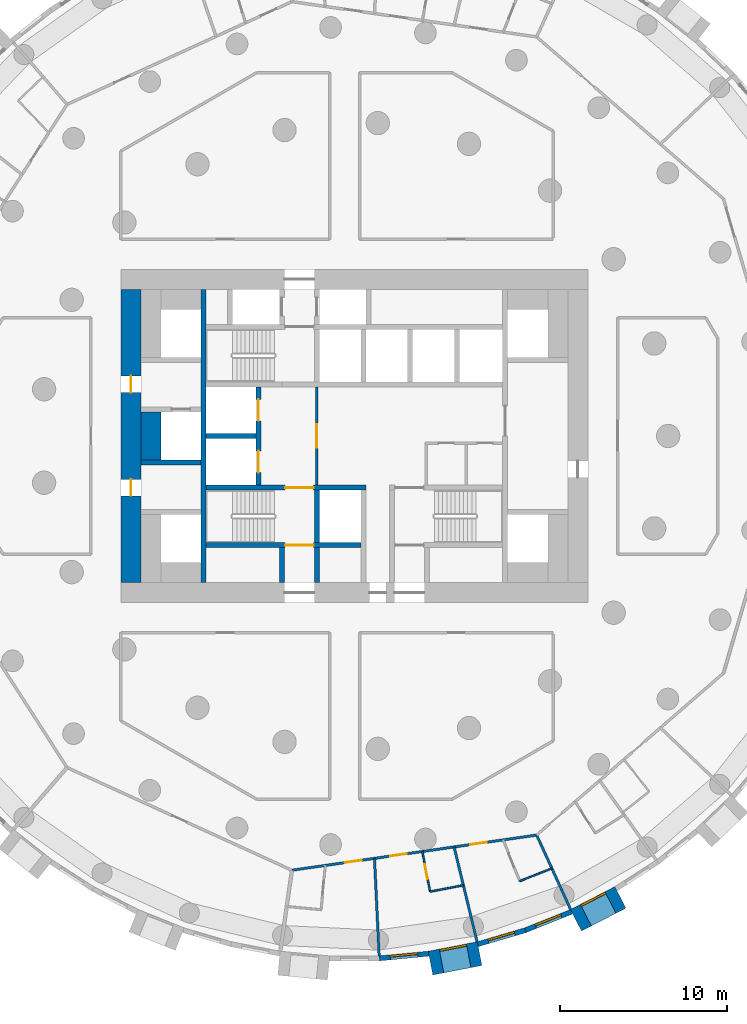
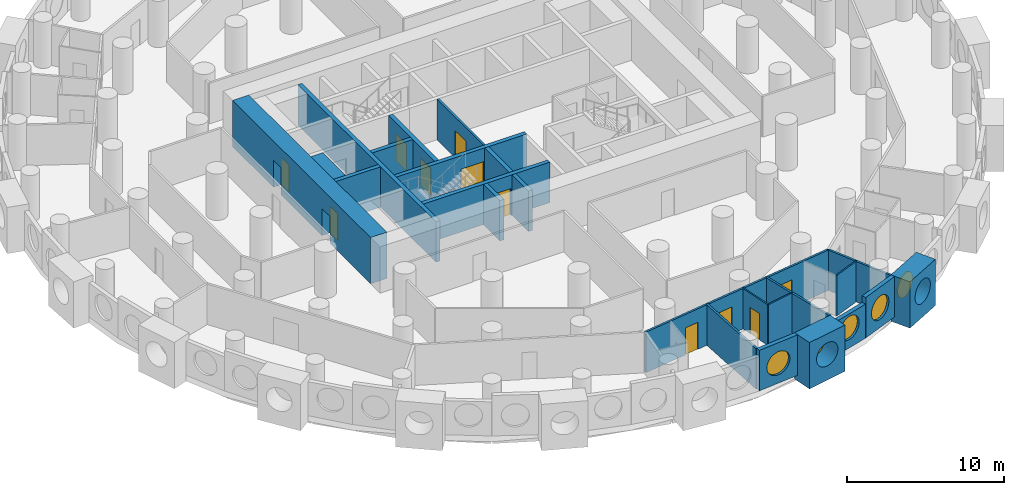
# One storey, part 4 of 11: 24 walls, 11 doors, 5 windows, 16 openings.
"""IFC4 building model written with IfcOpenShell, lengths in metres."""

import ifcopenshell
import ifcopenshell.guid

model = None  # the IFC model being written
_history = None  # IfcOwnerHistory: only IFC2X3 demands one
_inside = {}  # id of a spatial element -> (the spatial element, [elements in it])
_under = {}  # id of a project, library or spatial element -> (it, [spatial elements below it])
_declared = {}  # id of a project -> (the project, [libraries it declares])
_typed = {}  # id of a type object -> (the type object, [elements of that type])
_made_of = {}  # id of a material, layer set ... -> (it, [elements and type objects made of it])


def new_model(schema):
    """Start an empty IFC model of exactly this schema.

    Asked for "IFC4X3", IfcOpenShell would pick the latest addendum, in which some entities
    have other attributes; the version numbers below select the first issue.
    IFC2X3 requires an IfcOwnerHistory on every rooted entity: one is made here for all.
    """
    global model, _history
    if schema == "IFC4X3":
        model = ifcopenshell.file(schema_version=(4, 3, 0, 0))
    else:
        model = ifcopenshell.file(schema=schema)
    _inside.clear()
    _under.clear()
    _declared.clear()
    _typed.clear()
    _made_of.clear()
    _history = None
    if model.schema == "IFC2X3":
        org = make("IfcOrganization", Name="unknown")
        user = make(
            "IfcPersonAndOrganization",
            ThePerson=make("IfcPerson", FamilyName="unknown"),
            TheOrganization=org,
        )
        app = make(
            "IfcApplication",
            ApplicationDeveloper=org,
            Version="unknown",
            ApplicationFullName="unknown",
            ApplicationIdentifier="unknown",
        )
        _history = make(
            "IfcOwnerHistory",
            OwningUser=user,
            OwningApplication=app,
            ChangeAction="ADDED",
            CreationDate=0,
        )
    return model


def make(cls, **values):
    """One entity of the class cls with the attributes given. An attribute that is None is left unset."""
    return model.create_entity(
        cls, **{name: value for name, value in values.items() if value is not None}
    )


def rooted(cls, **values):
    """An entity with a GlobalId (a new one), such as an element, a storey or a relation."""
    return make(cls, GlobalId=ifcopenshell.guid.new(), OwnerHistory=_history, **values)


def si_unit(unit_type, name, prefix=None):
    """IfcSIUnit, for example si_unit("LENGTHUNIT", "METRE", prefix="MILLI")."""
    return make("IfcSIUnit", UnitType=unit_type, Prefix=prefix, Name=name)


def assignment(units):
    """IfcUnitAssignment: the units of a project."""
    return None if units is None else make("IfcUnitAssignment", Units=units)


def point(xyz):
    """IfcCartesianPoint."""
    return None if xyz is None else make("IfcCartesianPoint", Coordinates=xyz)


def direction(xyz):
    """IfcDirection."""
    return None if xyz is None else make("IfcDirection", DirectionRatios=xyz)


def frame(location, z_axis=None, x_axis=None):
    """IfcAxis2Placement3D, a coordinate frame: its origin and axes. An axis left out is left unset."""
    return make(
        "IfcAxis2Placement3D",
        Location=point(location),
        Axis=direction(z_axis),
        RefDirection=direction(x_axis),
    )


def frame_2d(location, x_axis=None):
    """IfcAxis2Placement2D, a coordinate frame in the plane: its origin and x axis."""
    return make(
        "IfcAxis2Placement2D", Location=point(location), RefDirection=direction(x_axis)
    )


def origin():
    """The frame at (0, 0, 0) with its axes left unset."""
    return frame((0.0, 0.0, 0.0))


def origin_2d():
    """The frame at (0, 0) in the plane with its x axis left unset."""
    return frame_2d((0.0, 0.0))


def place(relative_to, where):
    """IfcLocalPlacement: puts the frame where relative to a parent placement (None: the world)."""
    return make(
        "IfcLocalPlacement", PlacementRelTo=relative_to, RelativePlacement=where
    )


def context(
    kind, dimensions, precision=None, world=None, true_north=None, identifier=None
):
    """IfcGeometricRepresentationContext, for example the 3D "Model" context."""
    return make(
        "IfcGeometricRepresentationContext",
        ContextIdentifier=identifier,
        ContextType=kind,
        CoordinateSpaceDimension=dimensions,
        Precision=precision,
        WorldCoordinateSystem=world,
        TrueNorth=true_north,
    )


def subcontext(parent, identifier, kind, view, scale=None):
    """IfcGeometricRepresentationSubContext, for example "Body" below "Model"."""
    return make(
        "IfcGeometricRepresentationSubContext",
        ContextIdentifier=identifier,
        ContextType=kind,
        ParentContext=parent,
        TargetScale=scale,
        TargetView=view,
    )


def project(units=None, contexts=None):
    """IfcProject with its units and contexts."""
    return rooted(
        "IfcProject",
        Name="project",
        RepresentationContexts=contexts,
        UnitsInContext=assignment(units),
    )


def spatial(cls, under=None, at=None, **own):
    """A site, building, storey or space (cls), placed at a placement, below another one or the project."""
    s = rooted(cls, ObjectPlacement=at, **own)
    if under is not None:
        _under.setdefault(under.id(), (under, []))[1].append(s)
    return s


def profile(cls, at=None, kind="AREA", **sizes):
    """A parametric profile (cls). Its sizes go by their IFC names, for example OverallWidth=200.0."""
    return make(cls, ProfileType=kind, Position=at, **sizes)


def rectangle(**sizes):
    """IfcRectangleProfileDef."""
    return profile("IfcRectangleProfileDef", **sizes)


def circle(**sizes):
    """IfcCircleProfileDef."""
    return profile("IfcCircleProfileDef", **sizes)


def extrude(swept, where, along, depth):
    """IfcExtrudedAreaSolid: the profile swept, set in the frame where, extruded along a direction by depth."""
    return make(
        "IfcExtrudedAreaSolid",
        SweptArea=swept,
        Position=where,
        ExtrudedDirection=direction(along),
        Depth=depth,
    )


def shape(context_of_items, identifier, shape_type, items):
    """IfcShapeRepresentation: the items that make up one representation, for example the "Body"."""
    return make(
        "IfcShapeRepresentation",
        ContextOfItems=context_of_items,
        RepresentationIdentifier=identifier,
        RepresentationType=shape_type,
        Items=items,
    )


def material(Name=None, Category=None):
    """IfcMaterial."""
    return make("IfcMaterial", Name=Name, Category=Category)


def layer(
    of_material, thickness, ventilated=None, Name=None, Category=None, Priority=None
):
    """IfcMaterialLayer: one layer of a wall or slab, of a material (None: an air gap)."""
    return make(
        "IfcMaterialLayer",
        Material=of_material,
        LayerThickness=thickness,
        IsVentilated=ventilated,
        Name=Name,
        Category=Category,
        Priority=Priority,
    )


def layer_set(layers, Name=None):
    """IfcMaterialLayerSet."""
    return make("IfcMaterialLayerSet", MaterialLayers=layers, LayerSetName=Name)


def made_of(thing, what):
    """Note that an element or type object is made of a material, layer set ...; save() writes the relation."""
    if what is not None:
        _made_of.setdefault(what.id(), (what, []))[1].append(thing)
    return thing


def type_object(cls, material=None, **own):
    """A type object (cls), such as IfcWallType, which elements share."""
    return made_of(rooted(cls, **own), material)


def element(
    cls,
    number,
    at=None,
    inside=None,
    cuts=None,
    type_object=None,
    material=None,
    context=None,
    identifier="Body",
    shape_type=None,
    held_by="IfcProductDefinitionShape",
    body=None,
    shapes=None,
    **own,
):
    """One element of the class cls, such as IfcWall. Its Tag is "e" and its number.

    at: its placement. inside: the storey or other place that contains it. cuts: it is an
    opening in that element (IfcRelVoidsElement). A single representation is given by context,
    identifier, shape_type and body (its items); several are given by shapes. held_by: the class
    of the entity that holds the representations. save() writes the other relations.
    """
    e = rooted(cls, Tag="e%d" % number, ObjectPlacement=at, **own)
    if body is not None:
        shapes = [shape(context, identifier, shape_type, body)]
    if shapes is not None:
        e.Representation = make(held_by, Representations=shapes)
    if inside is not None:
        _inside.setdefault(inside.id(), (inside, []))[1].append(e)
    if cuts is not None:
        rooted(
            "IfcRelVoidsElement", RelatingBuildingElement=cuts, RelatedOpeningElement=e
        )
    if type_object is not None:
        _typed.setdefault(type_object.id(), (type_object, []))[1].append(e)
    return made_of(e, material)


def fill(opening, filler):
    """IfcRelFillsElement: the door or window that sits in an opening."""
    return rooted(
        "IfcRelFillsElement",
        RelatingOpeningElement=opening,
        RelatedBuildingElement=filler,
    )


def aggregate(whole, parts):
    """IfcRelAggregates: a whole, such as a stair, and the parts it consists of."""
    return rooted("IfcRelAggregates", RelatingObject=whole, RelatedObjects=parts)


def save(model, path):
    """Write the relations noted so far, then the file.

    IfcRelAggregates (storeys below a building ...), IfcRelContainedInSpatialStructure (elements
    in a storey), IfcRelDefinesByType, IfcRelAssociatesMaterial and IfcRelDeclares: one each for
    every whole, place, type object, material and project.
    """
    for whole, parts in _under.values():
        aggregate(whole, parts)
    for where, things in _inside.values():
        rooted(
            "IfcRelContainedInSpatialStructure",
            RelatedElements=things,
            RelatingStructure=where,
        )
    for kind, things in _typed.values():
        rooted("IfcRelDefinesByType", RelatedObjects=things, RelatingType=kind)
    for what, things in _made_of.values():
        rooted("IfcRelAssociatesMaterial", RelatedObjects=things, RelatingMaterial=what)
    for by, libraries in _declared.values():
        rooted("IfcRelDeclares", RelatingContext=by, RelatedDefinitions=libraries)
    model.write(path)


model = new_model("IFC4")

# Units and contexts
model_context = context("Model", 3, precision=1e-05, world=origin(), true_north=direction((0.0, 1.0)))
body_context = subcontext(model_context, "Body", "Model", "MODEL_VIEW")
ifc_project = project(units=[si_unit("LENGTHUNIT", "METRE"), si_unit("AREAUNIT", "SQUARE_METRE"), si_unit("VOLUMEUNIT", "CUBIC_METRE"), si_unit("PLANEANGLEUNIT", "RADIAN"), si_unit("MASSUNIT", "GRAM", prefix="KILO")], contexts=[model_context])

# Site, building, storey
site_placement = place(None, origin())
site = spatial("IfcSite", under=ifc_project, at=site_placement, CompositionType="ELEMENT")
building_placement = place(site_placement, origin())
building = spatial("IfcBuilding", under=site, at=building_placement, Name="Tracery Tower", CompositionType="ELEMENT")
storey_placement = place(building_placement, frame((0.0, 0.0, 96.60009765625)))
storey = spatial("IfcBuildingStorey", under=building, at=storey_placement, Name="L24", CompositionType="ELEMENT", Elevation=96.60009765625)

# Wall, opening, door
ifc_material_1 = material(Name="Plasterboard on steel studs", Category="steel")
ifc_layer_1 = layer(ifc_material_1, 0.14990234375)
ifc_layer_set_1 = layer_set([ifc_layer_1], Name="Core lobby partition 150")
wall_type_1 = type_object("IfcWallType", Name="Core lobby partition 150", PredefinedType="SOLIDWALL", material=ifc_layer_set_1)
wall_1_placement = place(storey_placement, frame((-2.25, -2.949951171875, 0.0), z_axis=(0.0, 0.0, 1.0), x_axis=(0.0, 1.0, 0.0)))
wall_1 = element("IfcWall", 1, at=wall_1_placement, inside=storey, type_object=wall_type_1, Name="L24 FF lobby E", PredefinedType="SOLIDWALL", context=body_context, shape_type="SweptSolid", body=[
    extrude(rectangle(XDim=5.89990234375, YDim=0.14990234375, at=frame_2d((2.949951171875, 0.0))), origin(), (0.0, 0.0, 1.0), 3.14990234375),
])
opening_1_placement = place(wall_1_placement, frame((2.25, 0.0, 0.0)))
opening_1 = element("IfcOpeningElement", 2, at=opening_1_placement, cuts=wall_1, Name="Opening KD8", PredefinedType="OPENING", context=body_context, shape_type="SweptSolid", body=[
    extrude(rectangle(XDim=1.39990234375, YDim=2.10009765625, at=frame_2d((0.699951171875, 1.050048828125))), frame((0.0, 0.074951171875, 0.0), z_axis=(0.0, -1.0, 0.0), x_axis=(1.0, 0.0, 0.0)), (0.0, 0.0, 1.0), 0.14990234375),
])
ifc_material_2 = material(Name="Steel fire door", Category="steel")
door_type_1 = type_object("IfcDoorType", Name="Core lobby door 1400 double", OperationType="NOTDEFINED", PredefinedType="DOOR", material=ifc_material_2)
door_1_placement = place(opening_1_placement, origin())
door_1 = element("IfcDoor", 3, at=door_1_placement, inside=storey, type_object=door_type_1, Name="Fire-fighting lobby door", OperationType="DOUBLE_DOOR_SINGLE_SWING", OverallHeight=2.10009765625, OverallWidth=1.39990234375, PredefinedType="DOOR", context=body_context, shape_type="SweptSolid", body=[
    extrude(rectangle(XDim=1.39990234375, YDim=2.10009765625, at=frame_2d((0.699951171875, 1.050048828125))), frame((0.0, 0.02490234375, 0.0), z_axis=(0.0, -1.0, 0.0), x_axis=(1.0, 0.0, 0.0)), (0.0, 0.0, 1.0), 0.050048828125),
])
fill(opening_1, door_1)

# Wall
ifc_material_3 = material(Name="Concrete C60/75", Category="concrete")
ifc_layer_2 = layer(ifc_material_3, 1.199951171875)
ifc_layer_set_2 = layer_set([ifc_layer_2], Name="Core strip wall 1200 C60")
wall_type_2 = type_object("IfcWallType", Name="Core strip wall 1200 C60", PredefinedType="SOLIDWALL", material=ifc_layer_set_2)
wall_2_placement = place(storey_placement, frame((-12.199951171875, -1.449951171875, 0.0), z_axis=(0.0, 0.0, 1.0), x_axis=(0.0, 1.0, 0.0)))
element("IfcWall", 4, at=wall_2_placement, inside=storey, type_object=wall_type_2, Name="L24 wing strip -1 -1.6", PredefinedType="SOLIDWALL", context=body_context, shape_type="SweptSolid", body=[
    extrude(rectangle(XDim=2.89990234375, YDim=1.199951171875, at=frame_2d((1.449951171875, 0.0))), origin(), (0.0, 0.0, 1.0), 3.14990234375),
])

# Wall, openings, doors
ifc_material_4 = material(Name="Concrete C60/75", Category="concrete")
ifc_layer_3 = layer(ifc_material_4, 1.199951171875)
ifc_layer_set_3 = layer_set([ifc_layer_3], Name="Core wall 1200 C60")
wall_type_3 = type_object("IfcWallType", Name="Core wall 1200 C60", PredefinedType="SOLIDWALL", material=ifc_layer_set_3)
wall_3_placement = place(storey_placement, frame((-13.39990234375, -8.800048828125, 0.0), z_axis=(0.0, 0.0, 1.0), x_axis=(0.0, 1.0, 0.0)))
wall_3 = element("IfcWall", 5, at=wall_3_placement, inside=storey, type_object=wall_type_3, Name="L24 outer W", PredefinedType="SOLIDWALL", context=body_context, shape_type="SweptSolid", body=[
    extrude(rectangle(XDim=17.60009765625, YDim=1.199951171875, at=frame_2d((8.800048828125, 0.0))), origin(), (0.0, 0.0, 1.0), 3.599853515625),
])
opening_2_placement = place(wall_3_placement, frame((5.199951171875, 0.0, 0.0)))
opening_2 = element("IfcOpeningElement", 6, at=opening_2_placement, cuts=wall_3, Name="Opening KD18", PredefinedType="OPENING", context=body_context, shape_type="SweptSolid", body=[
    extrude(rectangle(XDim=1.0, YDim=2.10009765625, at=frame_2d((0.5, 1.050048828125))), frame((0.0, 0.60009765625, 0.0), z_axis=(0.0, -1.0, 0.0), x_axis=(1.0, 0.0, 0.0)), (0.0, 0.0, 1.0), 1.199951171875),
])
opening_3_placement = place(wall_3_placement, frame((11.39990234375, 0.0, 0.0)))
opening_3 = element("IfcOpeningElement", 7, at=opening_3_placement, cuts=wall_3, Name="Opening KD18", PredefinedType="OPENING", context=body_context, shape_type="SweptSolid", body=[
    extrude(rectangle(XDim=1.0, YDim=2.10009765625, at=frame_2d((0.5, 1.050048828125))), frame((0.0, 0.60009765625, 0.0), z_axis=(0.0, -1.0, 0.0), x_axis=(1.0, 0.0, 0.0)), (0.0, 0.0, 1.0), 1.199951171875),
])
ifc_material_5 = material(Name="Steel fire door", Category="steel")
door_type_2 = type_object("IfcDoorType", Name="Core exit door 1000", OperationType="NOTDEFINED", PredefinedType="DOOR", material=ifc_material_5)
door_2_placement = place(opening_2_placement, origin())
door_2 = element("IfcDoor", 8, at=door_2_placement, inside=storey, type_object=door_type_2, Name="Core exit door", OperationType="DOUBLE_DOOR_SINGLE_SWING", OverallHeight=2.10009765625, OverallWidth=1.0, PredefinedType="DOOR", context=body_context, shape_type="SweptSolid", body=[
    extrude(rectangle(XDim=1.0, YDim=2.10009765625, at=frame_2d((0.5, 1.050048828125))), frame((0.0, 0.02490234375, 0.0), z_axis=(0.0, -1.0, 0.0), x_axis=(1.0, 0.0, 0.0)), (0.0, 0.0, 1.0), 0.050048828125),
])
fill(opening_2, door_2)
door_3_placement = place(opening_3_placement, origin())
door_3 = element("IfcDoor", 9, at=door_3_placement, inside=storey, type_object=door_type_2, Name="Core exit door", OperationType="DOUBLE_DOOR_SINGLE_SWING", OverallHeight=2.10009765625, OverallWidth=1.0, PredefinedType="DOOR", context=body_context, shape_type="SweptSolid", body=[
    extrude(rectangle(XDim=1.0, YDim=2.10009765625, at=frame_2d((0.5, 1.050048828125))), frame((0.0, 0.02490234375, 0.0), z_axis=(0.0, -1.0, 0.0), x_axis=(1.0, 0.0, 0.0)), (0.0, 0.0, 1.0), 0.050048828125),
])
fill(opening_3, door_3)

# Wall, opening, window
ifc_material_6 = material(Name="Precast concrete C50/60", Category="concrete")
ifc_layer_4 = layer(ifc_material_6, 1.449951171875)
ifc_layer_set_4 = layer_set([ifc_layer_4], Name="Deep-set bay unit 3000 x 3600, slab edge 450")
wall_type_4 = type_object("IfcWallType", Name="Deep-set bay unit 3000 x 3600, slab edge 450", PredefinedType="ELEMENTEDWALL", material=ifc_layer_set_4)
wall_4_placement = place(storey_placement, frame((4.56689453125, -31.62109375, -0.4501953125), z_axis=(0.0, 0.0, 1.0), x_axis=(0.981921602273, 0.189288052949, 0.0)))
wall_4 = element("IfcWall", 10, at=wall_4_placement, inside=storey, type_object=wall_type_4, Name="Deep-set bay unit 52 at L24", PredefinedType="ELEMENTEDWALL", context=body_context, shape_type="SweptSolid", body=[
    extrude(rectangle(XDim=3.0, YDim=1.449951171875, at=frame_2d((1.5, 0.0))), origin(), (0.0, 0.0, 1.0), 3.60009765625),
])
opening_4_placement = place(wall_4_placement, frame((1.5, 0.0, 2.0)))
opening_4 = element("IfcOpeningElement", 11, at=opening_4_placement, cuts=wall_4, Name="Opening WN1", PredefinedType="OPENING", context=body_context, shape_type="SweptSolid", body=[
    extrude(circle(Radius=0.9000244140625, at=origin_2d()), frame((0.0, 0.73486328125, 0.0), z_axis=(0.0, -1.0, 0.0), x_axis=(1.0, 0.0, 0.0)), (0.0, 0.0, 1.0), 1.469970703125),
])
ifc_material_7 = material(Name="Aluminium frame with tinted double glazing", Category="aluminium")
window_type = type_object("IfcWindowType", Name="Round window 1800", PartitioningType="SINGLE_PANEL", PredefinedType="WINDOW", material=ifc_material_7)
window_1_placement = place(opening_4_placement, origin())
window_1 = element("IfcWindow", 12, at=window_1_placement, inside=storey, type_object=window_type, Name="Round window 52 at L24", OverallHeight=1.800048828125, OverallWidth=1.800048828125, PartitioningType="SINGLE_PANEL", PredefinedType="WINDOW", context=body_context, shape_type="SweptSolid", body=[
    extrude(circle(Radius=0.9000244140625, at=origin_2d()), frame((0.0, 0.69482421875, 0.0), z_axis=(0.0, -1.0, 0.0), x_axis=(1.0, 0.0, 0.0)), (0.0, 0.0, 1.0), 0.10009765625),
])
fill(opening_4, window_1)

wall_5_placement = place(storey_placement, frame((13.29052734375, -29.053466796875, -0.4501953125), z_axis=(0.0, 0.0, 1.0), x_axis=(0.888858064689, 0.458182650083, 0.0)))
wall_5 = element("IfcWall", 13, at=wall_5_placement, inside=storey, type_object=wall_type_4, Name="Deep-set bay unit 55 at L24", PredefinedType="ELEMENTEDWALL", context=body_context, shape_type="SweptSolid", body=[
    extrude(rectangle(XDim=3.0, YDim=1.449951171875, at=frame_2d((1.5, 0.0))), origin(), (0.0, 0.0, 1.0), 3.60009765625),
])
opening_5_placement = place(wall_5_placement, frame((1.5, 0.0, 2.0)))
opening_5 = element("IfcOpeningElement", 14, at=opening_5_placement, cuts=wall_5, Name="Opening WN1", PredefinedType="OPENING", context=body_context, shape_type="SweptSolid", body=[
    extrude(circle(Radius=0.9000244140625, at=origin_2d()), frame((0.0, 0.73486328125, 0.0), z_axis=(0.0, -1.0, 0.0), x_axis=(1.0, 0.0, 0.0)), (0.0, 0.0, 1.0), 1.469970703125),
])
window_2_placement = place(opening_5_placement, origin())
window_2 = element("IfcWindow", 15, at=window_2_placement, inside=storey, type_object=window_type, Name="Round window 55 at L24", OverallHeight=1.800048828125, OverallWidth=1.800048828125, PartitioningType="SINGLE_PANEL", PredefinedType="WINDOW", context=body_context, shape_type="SweptSolid", body=[
    extrude(circle(Radius=0.9000244140625, at=origin_2d()), frame((0.0, 0.69482421875, 0.0), z_axis=(0.0, -1.0, 0.0), x_axis=(1.0, 0.0, 0.0)), (0.0, 0.0, 1.0), 0.10009765625),
])
fill(opening_5, window_2)

ifc_material_8 = material(Name="Precast concrete C50/60", Category="concrete")
ifc_layer_5 = layer(ifc_material_8, 0.300048828125)
ifc_layer_set_5 = layer_set([ifc_layer_5], Name="Facade panel 3000 x 2650")
wall_type_5 = type_object("IfcWallType", Name="Facade panel 3000 x 2650", PredefinedType="SOLIDWALL", material=ifc_layer_set_5)
wall_6_placement = place(storey_placement, frame((7.402587890625, -30.48828125, 0.0), z_axis=(0.0, 0.0, 1.0), x_axis=(0.959501085144, 0.281704930036, 0.0)))
wall_6 = element("IfcWall", 16, at=wall_6_placement, inside=storey, type_object=wall_type_5, Name="Facade panel 53 at L24", PredefinedType="SOLIDWALL", context=body_context, shape_type="SweptSolid", body=[
    extrude(rectangle(XDim=2.9794921875, YDim=0.300048828125, at=frame_2d((1.48974609375, 0.0))), origin(), (0.0, 0.0, 1.0), 2.64990234375),
])
opening_6_placement = place(wall_6_placement, frame((1.48974609375, 0.0, 1.5498046875)))
opening_6 = element("IfcOpeningElement", 17, at=opening_6_placement, cuts=wall_6, Name="Opening WN1", PredefinedType="OPENING", context=body_context, shape_type="SweptSolid", body=[
    extrude(circle(Radius=0.9000244140625, at=origin_2d()), frame((0.0, 0.159912109375, 0.0), z_axis=(0.0, -1.0, 0.0), x_axis=(1.0, 0.0, 0.0)), (0.0, 0.0, 1.0), 0.320068359375),
])
window_3_placement = place(opening_6_placement, origin())
window_3 = element("IfcWindow", 18, at=window_3_placement, inside=storey, type_object=window_type, Name="Round window 53 at L24", OverallHeight=1.800048828125, OverallWidth=1.800048828125, PartitioningType="SINGLE_PANEL", PredefinedType="WINDOW", context=body_context, shape_type="SweptSolid", body=[
    extrude(circle(Radius=0.9000244140625, at=origin_2d()), frame((0.0, 0.1201171875, 0.0), z_axis=(0.0, -1.0, 0.0), x_axis=(1.0, 0.0, 0.0)), (0.0, 0.0, 1.0), 0.10009765625),
])
fill(opening_6, window_3)

ifc_material_9 = material(Name="Precast concrete C50/60", Category="concrete")
ifc_layer_6 = layer(ifc_material_9, 0.300048828125)
ifc_layer_set_6 = layer_set([ifc_layer_6], Name="Facade panel 3000 x 3150")
wall_type_6 = type_object("IfcWallType", Name="Facade panel 3000 x 3150", PredefinedType="SOLIDWALL", material=ifc_layer_set_6)
wall_7_placement = place(storey_placement, frame((1.492919921875, -31.3388671875, 0.0), z_axis=(0.0, 0.0, 1.0), x_axis=(0.995472611385, 0.095048829468, 0.0)))
wall_7 = element("IfcWall", 19, at=wall_7_placement, inside=storey, type_object=wall_type_6, Name="Facade panel 51 at L24", PredefinedType="SOLIDWALL", context=body_context, shape_type="SweptSolid", body=[
    extrude(rectangle(XDim=2.9794921875, YDim=0.300048828125, at=frame_2d((1.48974609375, 0.0))), origin(), (0.0, 0.0, 1.0), 3.14990234375),
])
opening_7_placement = place(wall_7_placement, frame((1.48974609375, 0.0, 1.5498046875)))
opening_7 = element("IfcOpeningElement", 20, at=opening_7_placement, cuts=wall_7, Name="Opening WN1", PredefinedType="OPENING", context=body_context, shape_type="SweptSolid", body=[
    extrude(circle(Radius=0.9000244140625, at=origin_2d()), frame((0.0, 0.159912109375, 0.0), z_axis=(0.0, -1.0, 0.0), x_axis=(1.0, 0.0, 0.0)), (0.0, 0.0, 1.0), 0.320068359375),
])
window_4_placement = place(opening_7_placement, origin())
window_4 = element("IfcWindow", 21, at=window_4_placement, inside=storey, type_object=window_type, Name="Round window 51 at L24", OverallHeight=1.800048828125, OverallWidth=1.800048828125, PartitioningType="SINGLE_PANEL", PredefinedType="WINDOW", context=body_context, shape_type="SweptSolid", body=[
    extrude(circle(Radius=0.9000244140625, at=origin_2d()), frame((0.0, 0.1201171875, 0.0), z_axis=(0.0, -1.0, 0.0), x_axis=(1.0, 0.0, 0.0)), (0.0, 0.0, 1.0), 0.10009765625),
])
fill(opening_7, window_4)

wall_8_placement = place(storey_placement, frame((10.261474609375, -29.64892578125, 0.0), z_axis=(0.0, 0.0, 1.0), x_axis=(0.928374947, 0.371644935098, 0.0)))
wall_8 = element("IfcWall", 22, at=wall_8_placement, inside=storey, type_object=wall_type_6, Name="Facade panel 54 at L24", PredefinedType="SOLIDWALL", context=body_context, shape_type="SweptSolid", body=[
    extrude(rectangle(XDim=2.979736328125, YDim=0.300048828125, at=frame_2d((1.48974609375, 0.0))), origin(), (0.0, 0.0, 1.0), 3.14990234375),
])
opening_8_placement = place(wall_8_placement, frame((1.48974609375, 0.0, 1.5498046875)))
opening_8 = element("IfcOpeningElement", 23, at=opening_8_placement, cuts=wall_8, Name="Opening WN1", PredefinedType="OPENING", context=body_context, shape_type="SweptSolid", body=[
    extrude(circle(Radius=0.9000244140625, at=origin_2d()), frame((0.0, 0.159912109375, 0.0), z_axis=(0.0, -1.0, 0.0), x_axis=(1.0, 0.0, 0.0)), (0.0, 0.0, 1.0), 0.320068359375),
])
window_5_placement = place(opening_8_placement, origin())
window_5 = element("IfcWindow", 24, at=window_5_placement, inside=storey, type_object=window_type, Name="Round window 54 at L24", OverallHeight=1.800048828125, OverallWidth=1.800048828125, PartitioningType="SINGLE_PANEL", PredefinedType="WINDOW", context=body_context, shape_type="SweptSolid", body=[
    extrude(circle(Radius=0.9000244140625, at=origin_2d()), frame((0.0, 0.1201171875, 0.0), z_axis=(0.0, -1.0, 0.0), x_axis=(1.0, 0.0, 0.0)), (0.0, 0.0, 1.0), 0.10009765625),
])
fill(opening_8, window_5)

# Wall, opening, door
ifc_material_10 = material(Name="Plasterboard on steel studs", Category="steel")
ifc_layer_7 = layer(ifc_material_10, 0.10009765625)
ifc_layer_set_7 = layer_set([ifc_layer_7], Name="Partition 100 wet wall")
wall_type_7 = type_object("IfcWallType", Name="Partition 100 wet wall", PredefinedType="PARTITIONING", material=ifc_layer_set_7)
wall_9_placement = place(storey_placement, frame((4.076904296875, -24.926025390625, 0.0), z_axis=(0.0, 0.0, 1.0), x_axis=(0.18925724964, -0.981927539821, 0.0)))
wall_9 = element("IfcWall", 25, at=wall_9_placement, inside=storey, type_object=wall_type_7, Name="Wet wall RA7-076", PredefinedType="PARTITIONING", context=body_context, shape_type="SweptSolid", body=[
    extrude(rectangle(XDim=2.452392578125, YDim=0.10009765625, at=frame_2d((1.22607421875, 0.0))), origin(), (0.0, 0.0, 1.0), 3.14990234375),
])
opening_9_placement = place(wall_9_placement, frame((0.77587890625, 0.0, 0.0)))
opening_9 = element("IfcOpeningElement", 26, at=opening_9_placement, cuts=wall_9, Name="Opening RA7-29", PredefinedType="OPENING", context=body_context, shape_type="SweptSolid", body=[
    extrude(rectangle(XDim=0.89990234375, YDim=2.0400390625, at=frame_2d((0.449951171875, 1.02001953125))), frame((0.0, 0.050048828125, 0.0), z_axis=(0.0, -1.0, 0.0), x_axis=(1.0, 0.0, 0.0)), (0.0, 0.0, 1.0), 0.10009765625),
])
ifc_material_11 = material(Name="Timber door leaf", Category="wood")
door_type_3 = type_object("IfcDoorType", Name="Door en-suite 900", OperationType="NOTDEFINED", PredefinedType="DOOR", material=ifc_material_11)
door_4_placement = place(opening_9_placement, origin())
door_4 = element("IfcDoor", 27, at=door_4_placement, inside=storey, type_object=door_type_3, Name="En-suite door RA7-29", OperationType="SINGLE_SWING_LEFT", OverallHeight=2.0400390625, OverallWidth=0.89990234375, PredefinedType="DOOR", context=body_context, shape_type="SweptSolid", body=[
    extrude(rectangle(XDim=0.89990234375, YDim=2.0400390625, at=frame_2d((0.449951171875, 1.02001953125))), frame((0.0, 0.02490234375, 0.0), z_axis=(0.0, -1.0, 0.0), x_axis=(1.0, 0.0, 0.0)), (0.0, 0.0, 1.0), 0.050048828125),
])
fill(opening_9, door_4)

# Walls
wall_10_placement = place(storey_placement, frame((4.541015625, -27.333984375, 0.0), z_axis=(0.0, 0.0, 1.0), x_axis=(0.981919009751, 0.189301501024, 0.0)))
element("IfcWall", 28, at=wall_10_placement, inside=storey, type_object=wall_type_7, Name="Wet wall RA7-077", PredefinedType="PARTITIONING", context=body_context, shape_type="SweptSolid", body=[
    extrude(rectangle(XDim=2.033935546875, YDim=0.10009765625, at=frame_2d((1.01708984375, 0.0))), origin(), (0.0, 0.0, 1.0), 3.14990234375),
])
wall_11_placement = place(storey_placement, frame((9.9208984375, -26.7041015625, 0.0), z_axis=(0.0, 0.0, 1.0), x_axis=(0.928346586681, 0.37171577179, 0.0)))
element("IfcWall", 29, at=wall_11_placement, inside=storey, type_object=wall_type_7, Name="Wet wall RA7-080", PredefinedType="PARTITIONING", context=body_context, shape_type="SweptSolid", body=[
    extrude(rectangle(XDim=2.071533203125, YDim=0.10009765625, at=frame_2d((1.03564453125, 0.0))), origin(), (0.0, 0.0, 1.0), 3.14990234375),
])
ifc_material_12 = material(Name="Plasterboard on steel studs", Category="steel")
ifc_layer_8 = layer(ifc_material_12, 0.14990234375)
ifc_layer_set_8 = layer_set([ifc_layer_8], Name="Partition 150 acoustic unit wall")
wall_type_8 = type_object("IfcWallType", Name="Partition 150 acoustic unit wall", PredefinedType="PARTITIONING", material=ifc_layer_set_8)
wall_12_placement = place(storey_placement, frame((1.20703125, -25.339111328125, 0.0), z_axis=(0.0, 0.0, 1.0), x_axis=(0.047648334785, -0.998864173045, 0.0)))
element("IfcWall", 30, at=wall_12_placement, inside=storey, type_object=wall_type_8, Name="Unit wall RA7-075", PredefinedType="PARTITIONING", context=body_context, shape_type="SweptSolid", body=[
    extrude(rectangle(XDim=5.8564453125, YDim=0.14990234375, at=frame_2d((2.92822265625, 0.0))), origin(), (0.0, 0.0, 1.0), 3.14990234375),
])
wall_13_placement = place(storey_placement, frame((5.981201171875, -24.652099609375, 0.0), z_axis=(0.0, 0.0, 1.0), x_axis=(0.235604797906, -0.971848948759, 0.0)))
element("IfcWall", 31, at=wall_13_placement, inside=storey, type_object=wall_type_8, Name="Unit wall RA7-078", PredefinedType="PARTITIONING", context=body_context, shape_type="SweptSolid", body=[
    extrude(rectangle(XDim=5.856689453125, YDim=0.14990234375, at=frame_2d((2.92822265625, 0.0))), origin(), (0.0, 0.0, 1.0), 3.14990234375),
])
wall_14_placement = place(storey_placement, frame((10.93359375, -23.939697265625, 0.0), z_axis=(0.0, 0.0, 1.0), x_axis=(0.415245800153, -0.909709253254, 0.0)))
element("IfcWall", 32, at=wall_14_placement, inside=storey, type_object=wall_type_8, Name="Unit wall RA7-081", PredefinedType="PARTITIONING", context=body_context, shape_type="SweptSolid", body=[
    extrude(rectangle(XDim=4.906494140625, YDim=0.14990234375, at=frame_2d((2.453125, 0.0))), origin(), (0.0, 0.0, 1.0), 3.14990234375),
])

# Wall, openings, doors
ifc_material_13 = material(Name="Plasterboard on steel studs", Category="steel")
ifc_layer_9 = layer(ifc_material_13, 0.14990234375)
ifc_layer_set_9 = layer_set([ifc_layer_9], Name="Partition 150 corridor wall")
wall_type_9 = type_object("IfcWallType", Name="Partition 150 corridor wall", PredefinedType="PARTITIONING", material=ifc_layer_set_9)
wall_15_placement = place(storey_placement, frame((-3.74609375, -26.05029296875, 0.0), z_axis=(0.0, 0.0, 1.0), x_axis=(0.98983491963, 0.142221066938, 0.0)))
wall_15 = element("IfcWall", 33, at=wall_15_placement, inside=storey, type_object=wall_type_9, Name="Corridor wall RA7-044", PredefinedType="PARTITIONING", context=body_context, shape_type="SweptSolid", body=[
    extrude(rectangle(XDim=14.829833984375, YDim=0.14990234375, at=frame_2d((7.4150390625, 0.0))), origin(), (0.0, 0.0, 1.0), 3.14990234375),
])
opening_10_placement = place(wall_15_placement, frame((3.214111328125, 0.0, 0.0)))
opening_10 = element("IfcOpeningElement", 34, at=opening_10_placement, cuts=wall_15, Name="Opening RA7-28", PredefinedType="OPENING", context=body_context, shape_type="SweptSolid", body=[
    extrude(rectangle(XDim=1.0, YDim=2.10009765625, at=frame_2d((0.5, 1.050048828125))), frame((0.0, 0.074951171875, 0.0), z_axis=(0.0, -1.0, 0.0), x_axis=(1.0, 0.0, 0.0)), (0.0, 0.0, 1.0), 0.14990234375),
])
opening_11_placement = place(wall_15_placement, frame((5.95361328125, 0.0, 0.0)))
opening_11 = element("IfcOpeningElement", 35, at=opening_11_placement, cuts=wall_15, Name="Opening RA7-30", PredefinedType="OPENING", context=body_context, shape_type="SweptSolid", body=[
    extrude(rectangle(XDim=1.0, YDim=2.10009765625, at=frame_2d((0.5, 1.050048828125))), frame((0.0, 0.074951171875, 0.0), z_axis=(0.0, -1.0, 0.0), x_axis=(1.0, 0.0, 0.0)), (0.0, 0.0, 1.0), 0.14990234375),
])
opening_12_placement = place(wall_15_placement, frame((10.81640625, 0.0, 0.0)))
opening_12 = element("IfcOpeningElement", 36, at=opening_12_placement, cuts=wall_15, Name="Opening RA7-32", PredefinedType="OPENING", context=body_context, shape_type="SweptSolid", body=[
    extrude(rectangle(XDim=1.0, YDim=2.10009765625, at=frame_2d((0.5, 1.050048828125))), frame((0.0, 0.074951171875, 0.0), z_axis=(0.0, -1.0, 0.0), x_axis=(1.0, 0.0, 0.0)), (0.0, 0.0, 1.0), 0.14990234375),
])
ifc_material_14 = material(Name="Timber door leaf", Category="wood")
door_type_4 = type_object("IfcDoorType", Name="Door unit entrance 1000", OperationType="NOTDEFINED", PredefinedType="DOOR", material=ifc_material_14)
door_5_placement = place(opening_10_placement, origin())
door_5 = element("IfcDoor", 37, at=door_5_placement, inside=storey, type_object=door_type_4, Name="Unit entrance door RA7-28", OperationType="SINGLE_SWING_LEFT", OverallHeight=2.10009765625, OverallWidth=1.0, PredefinedType="DOOR", context=body_context, shape_type="SweptSolid", body=[
    extrude(rectangle(XDim=1.0, YDim=2.10009765625, at=frame_2d((0.5, 1.050048828125))), frame((0.0, 0.02490234375, 0.0), z_axis=(0.0, -1.0, 0.0), x_axis=(1.0, 0.0, 0.0)), (0.0, 0.0, 1.0), 0.050048828125),
])
fill(opening_10, door_5)
door_6_placement = place(opening_11_placement, origin())
door_6 = element("IfcDoor", 38, at=door_6_placement, inside=storey, type_object=door_type_4, Name="Unit entrance door RA7-30", OperationType="SINGLE_SWING_RIGHT", OverallHeight=2.10009765625, OverallWidth=1.0, PredefinedType="DOOR", context=body_context, shape_type="SweptSolid", body=[
    extrude(rectangle(XDim=1.0, YDim=2.10009765625, at=frame_2d((0.5, 1.050048828125))), frame((0.0, 0.02490234375, 0.0), z_axis=(0.0, -1.0, 0.0), x_axis=(1.0, 0.0, 0.0)), (0.0, 0.0, 1.0), 0.050048828125),
])
fill(opening_11, door_6)
door_7_placement = place(opening_12_placement, origin())
door_7 = element("IfcDoor", 39, at=door_7_placement, inside=storey, type_object=door_type_4, Name="Unit entrance door RA7-32", OperationType="SINGLE_SWING_RIGHT", OverallHeight=2.10009765625, OverallWidth=1.0, PredefinedType="DOOR", context=body_context, shape_type="SweptSolid", body=[
    extrude(rectangle(XDim=1.0, YDim=2.10009765625, at=frame_2d((0.5, 1.050048828125))), frame((0.0, 0.02490234375, 0.0), z_axis=(0.0, -1.0, 0.0), x_axis=(1.0, 0.0, 0.0)), (0.0, 0.0, 1.0), 0.050048828125),
])
fill(opening_12, door_7)

# Wall
ifc_material_15 = material(Name="Concrete C60/75", Category="concrete")
ifc_layer_10 = layer(ifc_material_15, 0.300048828125)
ifc_layer_set_10 = layer_set([ifc_layer_10], Name="Shaft wall 300 C60")
wall_type_10 = type_object("IfcWallType", Name="Shaft wall 300 C60", PredefinedType="SOLIDWALL", material=ifc_layer_set_10)
wall_16_placement = place(storey_placement, frame((-8.89990234375, 0.0, 0.0), z_axis=(0.0, 0.0, 1.0), x_axis=(1.0, 0.0, 0.0)))
element("IfcWall", 40, at=wall_16_placement, inside=storey, type_object=wall_type_10, Name="L24 FF split", PredefinedType="SOLIDWALL", context=body_context, shape_type="SweptSolid", body=[
    extrude(rectangle(XDim=3.0, YDim=0.300048828125, at=frame_2d((1.5, 0.0))), origin(), (0.0, 0.0, 1.0), 3.14990234375),
])

# Wall, openings, doors
wall_17_placement = place(storey_placement, frame((-5.75, -2.949951171875, 0.0), z_axis=(0.0, 0.0, 1.0), x_axis=(0.0, 1.0, 0.0)))
wall_17 = element("IfcWall", 41, at=wall_17_placement, inside=storey, type_object=wall_type_10, Name="L24 FF doors", PredefinedType="SOLIDWALL", context=body_context, shape_type="SweptSolid", body=[
    extrude(rectangle(XDim=5.89990234375, YDim=0.300048828125, at=frame_2d((2.949951171875, 0.0))), origin(), (0.0, 0.0, 1.0), 3.14990234375),
])
opening_13_placement = place(wall_17_placement, frame((0.75, 0.0, 0.0)))
opening_13 = element("IfcOpeningElement", 42, at=opening_13_placement, cuts=wall_17, Name="Opening KD54", PredefinedType="OPENING", context=body_context, shape_type="SweptSolid", body=[
    extrude(rectangle(XDim=1.300048828125, YDim=2.10009765625, at=frame_2d((0.64990234375, 1.050048828125))), frame((0.0, 0.14990234375, 0.0), z_axis=(0.0, -1.0, 0.0), x_axis=(1.0, 0.0, 0.0)), (0.0, 0.0, 1.0), 0.300048828125),
])
opening_14_placement = place(wall_17_placement, frame((3.85009765625, 0.0, 0.0)))
opening_14 = element("IfcOpeningElement", 43, at=opening_14_placement, cuts=wall_17, Name="Opening KD55", PredefinedType="OPENING", context=body_context, shape_type="SweptSolid", body=[
    extrude(rectangle(XDim=1.300048828125, YDim=2.10009765625, at=frame_2d((0.64990234375, 1.050048828125))), frame((0.0, 0.14990234375, 0.0), z_axis=(0.0, -1.0, 0.0), x_axis=(1.0, 0.0, 0.0)), (0.0, 0.0, 1.0), 0.300048828125),
])
ifc_material_16 = material(Name="Steel fire door", Category="steel")
door_type_5 = type_object("IfcDoorType", Name="Landing door FF 1300", OperationType="NOTDEFINED", PredefinedType="DOOR", material=ifc_material_16)
door_8_placement = place(opening_13_placement, origin())
door_8 = element("IfcDoor", 44, at=door_8_placement, inside=storey, type_object=door_type_5, Name="Landing door FF1", OperationType="SLIDING_TO_LEFT", OverallHeight=2.10009765625, OverallWidth=1.300048828125, PredefinedType="DOOR", context=body_context, shape_type="SweptSolid", body=[
    extrude(rectangle(XDim=1.300048828125, YDim=2.10009765625, at=frame_2d((0.64990234375, 1.050048828125))), frame((0.0, 0.02490234375, 0.0), z_axis=(0.0, -1.0, 0.0), x_axis=(1.0, 0.0, 0.0)), (0.0, 0.0, 1.0), 0.050048828125),
])
fill(opening_13, door_8)
door_9_placement = place(opening_14_placement, origin())
door_9 = element("IfcDoor", 45, at=door_9_placement, inside=storey, type_object=door_type_5, Name="Landing door FF2", OperationType="SLIDING_TO_RIGHT", OverallHeight=2.10009765625, OverallWidth=1.300048828125, PredefinedType="DOOR", context=body_context, shape_type="SweptSolid", body=[
    extrude(rectangle(XDim=1.300048828125, YDim=2.10009765625, at=frame_2d((0.64990234375, 1.050048828125))), frame((0.0, 0.02490234375, 0.0), z_axis=(0.0, -1.0, 0.0), x_axis=(1.0, 0.0, 0.0)), (0.0, 0.0, 1.0), 0.050048828125),
])
fill(opening_14, door_9)

# Walls
wall_18_placement = place(storey_placement, frame((-4.35009765625, -8.800048828125, 0.0), z_axis=(0.0, 0.0, 1.0), x_axis=(0.0, 1.0, 0.0)))
element("IfcWall", 46, at=wall_18_placement, inside=storey, type_object=wall_type_10, Name="L24 band S -4.35", PredefinedType="SOLIDWALL", context=body_context, shape_type="SweptSolid", body=[
    extrude(rectangle(XDim=2.10009765625, YDim=0.300048828125, at=frame_2d((1.050048828125, 0.0))), origin(), (0.0, 0.0, 1.0), 3.14990234375),
])
wall_19_placement = place(storey_placement, frame((-12.800048828125, -1.60009765625, 0.0), z_axis=(0.0, 0.0, 1.0), x_axis=(1.0, 0.0, 0.0)))
element("IfcWall", 47, at=wall_19_placement, inside=storey, type_object=wall_type_10, Name="L24 wing shaft wall -1 -1.60", PredefinedType="SOLIDWALL", context=body_context, shape_type="SweptSolid", body=[
    extrude(rectangle(XDim=3.60009765625, YDim=0.300048828125, at=frame_2d((1.800048828125, 0.0))), origin(), (0.0, 0.0, 1.0), 3.14990234375),
])

# Wall, opening, door
ifc_material_17 = material(Name="Concrete C60/75", Category="concrete")
ifc_layer_11 = layer(ifc_material_17, 0.300048828125)
ifc_layer_set_11 = layer_set([ifc_layer_11], Name="Stair wall 300 C60")
wall_type_11 = type_object("IfcWallType", Name="Stair wall 300 C60", PredefinedType="SOLIDWALL", material=ifc_layer_set_11)
wall_20_placement = place(storey_placement, frame((-8.89990234375, -3.10009765625, 0.0), z_axis=(0.0, 0.0, 1.0), x_axis=(1.0, 0.0, 0.0)))
wall_20 = element("IfcWall", 48, at=wall_20_placement, inside=storey, type_object=wall_type_11, Name="L24 row S", PredefinedType="SOLIDWALL", context=body_context, shape_type="SweptSolid", body=[
    extrude(rectangle(XDim=9.599853515625, YDim=0.300048828125, at=frame_2d((4.7998046875, 0.0))), origin(), (0.0, 0.0, 1.0), 3.14990234375),
])
opening_15_placement = place(wall_20_placement, frame((4.75, 0.0, 0.0)))
opening_15 = element("IfcOpeningElement", 49, at=opening_15_placement, cuts=wall_20, Name="Opening KD3", PredefinedType="OPENING", context=body_context, shape_type="SweptSolid", body=[
    extrude(rectangle(XDim=1.699951171875, YDim=2.10009765625, at=frame_2d((0.85009765625, 1.050048828125))), frame((0.0, 0.14990234375, 0.0), z_axis=(0.0, -1.0, 0.0), x_axis=(1.0, 0.0, 0.0)), (0.0, 0.0, 1.0), 0.300048828125),
])
ifc_material_18 = material(Name="Steel fire door", Category="steel")
door_type_6 = type_object("IfcDoorType", Name="Core stair door 1700 double", OperationType="NOTDEFINED", PredefinedType="DOOR", material=ifc_material_18)
door_10_placement = place(opening_15_placement, origin())
door_10 = element("IfcDoor", 50, at=door_10_placement, inside=storey, type_object=door_type_6, Name="Stair door ST1", OperationType="DOUBLE_DOOR_SINGLE_SWING", OverallHeight=2.10009765625, OverallWidth=1.699951171875, PredefinedType="DOOR", context=body_context, shape_type="SweptSolid", body=[
    extrude(rectangle(XDim=1.699951171875, YDim=2.10009765625, at=frame_2d((0.85009765625, 1.050048828125))), frame((0.0, 0.02490234375, 0.0), z_axis=(0.0, -1.0, 0.0), x_axis=(1.0, 0.0, 0.0)), (0.0, 0.0, 1.0), 0.050048828125),
])
fill(opening_15, door_10)

# Walls
wall_21_placement = place(storey_placement, frame((-2.25, -6.39990234375, 0.0), z_axis=(0.0, 0.0, 1.0), x_axis=(0.0, 1.0, 0.0)))
element("IfcWall", 51, at=wall_21_placement, inside=storey, type_object=wall_type_11, Name="L24 ST1 E", PredefinedType="SOLIDWALL", context=body_context, shape_type="SweptSolid", body=[
    extrude(rectangle(XDim=3.14990234375, YDim=0.300048828125, at=frame_2d((1.574951171875, 0.0))), origin(), (0.0, 0.0, 1.0), 3.14990234375),
])
wall_22_placement = place(storey_placement, frame((-9.050048828125, -8.800048828125, 0.0), z_axis=(0.0, 0.0, 1.0), x_axis=(0.0, 1.0, 0.0)))
element("IfcWall", 52, at=wall_22_placement, inside=storey, type_object=wall_type_11, Name="L24 F wall -9", PredefinedType="SOLIDWALL", context=body_context, shape_type="SweptSolid", body=[
    extrude(rectangle(XDim=17.60009765625, YDim=0.300048828125, at=frame_2d((8.800048828125, 0.0))), origin(), (0.0, 0.0, 1.0), 3.14990234375),
])

# Wall, opening, door
wall_23_placement = place(storey_placement, frame((-8.89990234375, -6.550048828125, 0.0), z_axis=(0.0, 0.0, 1.0), x_axis=(1.0, 0.0, 0.0)))
wall_23 = element("IfcWall", 53, at=wall_23_placement, inside=storey, type_object=wall_type_11, Name="L24 F S W", PredefinedType="SOLIDWALL", context=body_context, shape_type="SweptSolid", body=[
    extrude(rectangle(XDim=9.2998046875, YDim=0.300048828125, at=frame_2d((4.64990234375, 0.0))), origin(), (0.0, 0.0, 1.0), 3.14990234375),
])
opening_16_placement = place(wall_23_placement, frame((4.75, 0.0, 0.0)))
opening_16 = element("IfcOpeningElement", 54, at=opening_16_placement, cuts=wall_23, Name="Opening KD3", PredefinedType="OPENING", context=body_context, shape_type="SweptSolid", body=[
    extrude(rectangle(XDim=1.699951171875, YDim=2.10009765625, at=frame_2d((0.85009765625, 1.050048828125))), frame((0.0, 0.14990234375, 0.0), z_axis=(0.0, -1.0, 0.0), x_axis=(1.0, 0.0, 0.0)), (0.0, 0.0, 1.0), 0.300048828125),
])
door_11_placement = place(opening_16_placement, origin())
door_11 = element("IfcDoor", 55, at=door_11_placement, inside=storey, type_object=door_type_6, Name="Stair door ST1 S", OperationType="DOUBLE_DOOR_SINGLE_SWING", OverallHeight=2.10009765625, OverallWidth=1.699951171875, PredefinedType="DOOR", context=body_context, shape_type="SweptSolid", body=[
    extrude(rectangle(XDim=1.699951171875, YDim=2.10009765625, at=frame_2d((0.85009765625, 1.050048828125))), frame((0.0, 0.02490234375, 0.0), z_axis=(0.0, -1.0, 0.0), x_axis=(1.0, 0.0, 0.0)), (0.0, 0.0, 1.0), 0.050048828125),
])
fill(opening_16, door_11)

# Wall
wall_24_placement = place(storey_placement, frame((-2.25, -8.800048828125, 0.0), z_axis=(0.0, 0.0, 1.0), x_axis=(0.0, 1.0, 0.0)))
element("IfcWall", 56, at=wall_24_placement, inside=storey, type_object=wall_type_11, Name="L24 ST1 E out", PredefinedType="SOLIDWALL", context=body_context, shape_type="SweptSolid", body=[
    extrude(rectangle(XDim=2.10009765625, YDim=0.300048828125, at=frame_2d((1.050048828125, 0.0))), origin(), (0.0, 0.0, 1.0), 3.14990234375),
])

save(model, "model.ifc")
